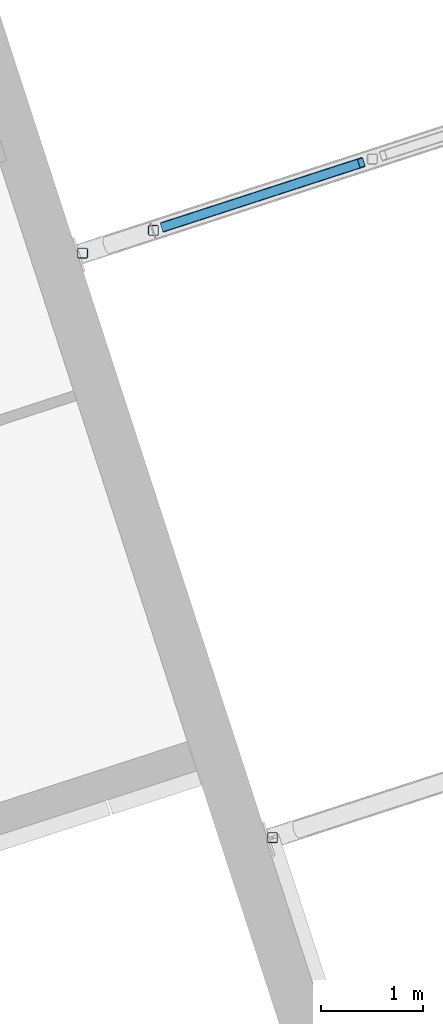
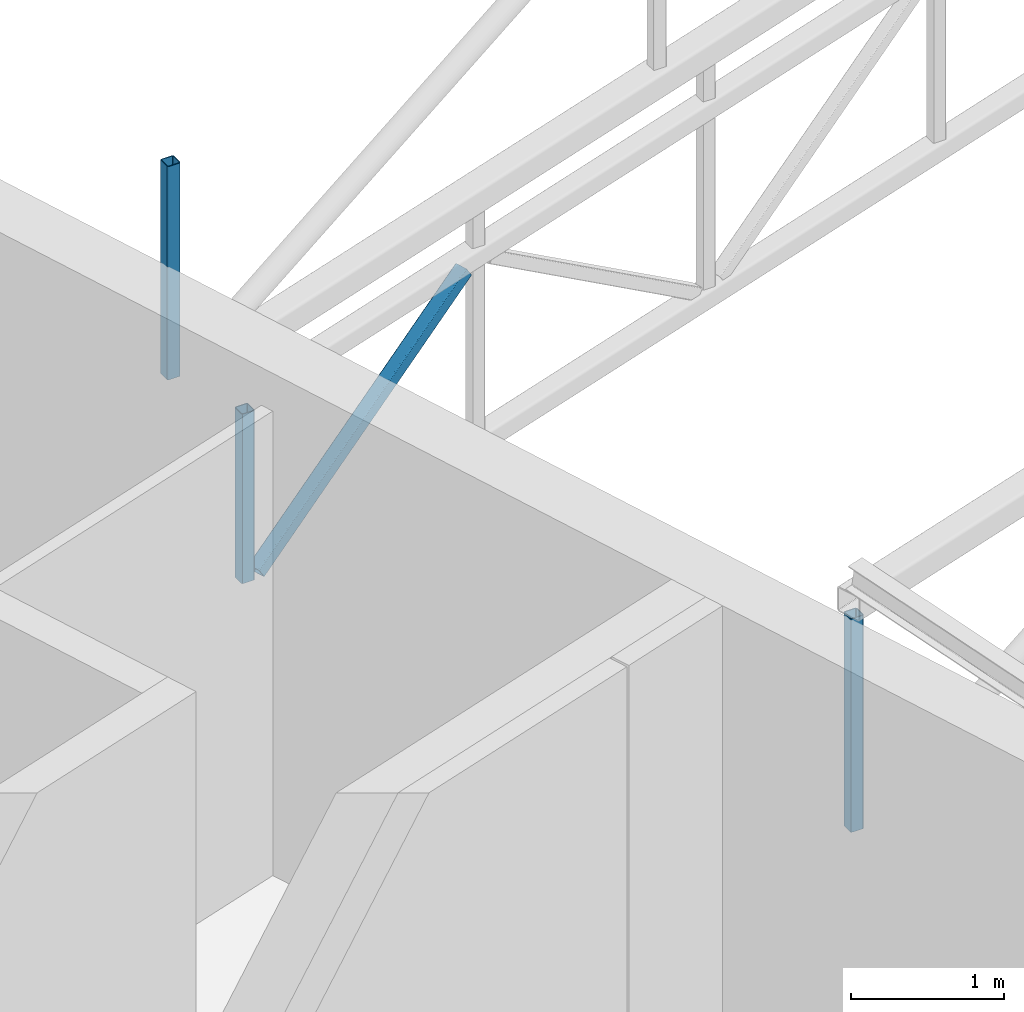
# One storey, part 5 of 81: 4 members.
"""IFC4 building model written with IfcOpenShell, lengths in metres."""

from ifc_helpers import new_model, si_unit, direction, frame, origin, origin_2d, place, context, subcontext, project, spatial, hollow_rectangle, extrude, material, material_profile, profile_set, type_object, element, save


model = new_model("IFC4")

# Units and contexts
model_context = context("Model", 3, precision=1e-05, world=origin(), true_north=direction((0.0, 1.0)))
body_context = subcontext(model_context, "Body", "Model", "MODEL_VIEW")
ifc_project = project(units=[si_unit("LENGTHUNIT", "METRE"), si_unit("AREAUNIT", "SQUARE_METRE"), si_unit("VOLUMEUNIT", "CUBIC_METRE"), si_unit("PLANEANGLEUNIT", "RADIAN"), si_unit("MASSUNIT", "GRAM", prefix="KILO")], contexts=[model_context])

# Site, building, storey
site_placement = place(None, origin())
site = spatial("IfcSite", under=ifc_project, at=site_placement, CompositionType="ELEMENT")
building_placement = place(site_placement, origin())
building = spatial("IfcBuilding", under=site, at=building_placement, Name="Tuart Plaza Theatre", CompositionType="ELEMENT")
storey_placement = place(building_placement, frame((0.0, 0.0, 17.5)))
storey = spatial("IfcBuildingStorey", under=building, at=storey_placement, Name="L04", CompositionType="ELEMENT", Elevation=17.5)

# Members
ifc_material_1 = material(Name="Steel Grade C350L0", Category="steel")
ifc_material_profile_1 = material_profile(ifc_material_1, hollow_rectangle(XDim=0.10009765625, YDim=0.10009765625, WallThickness=0.006103515625, InnerFilletRadius=0.006103515625, OuterFilletRadius=0.011962890625, at=origin_2d()), Name="100x100x6 SHS")
ifc_profile_set_1 = profile_set([ifc_material_profile_1], Name="Steel Grade C350L0")
member_type_1 = type_object("IfcMemberType", Name="MEMBER Brace 100x100x6 SHS", PredefinedType="BRACE", material=ifc_profile_set_1)
member_1_placement = place(storey_placement, frame((48.27685546875, 50.9033203125, 1.099365234375), z_axis=(0.791093381678, 0.256972345781, 0.555100418815), x_axis=(-0.308941443477, 0.951081060953, 0.0)))
element("IfcMember", 1, at=member_1_placement, inside=storey, type_object=member_type_1, Name="BR107", PredefinedType="BRACE", context=body_context, shape_type="SweptSolid", body=[
    extrude(hollow_rectangle(XDim=0.10009765625, YDim=0.10009765625, WallThickness=0.006103515625, InnerFilletRadius=0.006103515625, OuterFilletRadius=0.011962890625, at=origin_2d()), origin(), (0.0, 0.0, 1.0), 2.43212890625),
])
ifc_material_2 = material(Name="Steel Grade C350L0", Category="steel")
ifc_material_profile_2 = material_profile(ifc_material_2, hollow_rectangle(XDim=0.10009765625, YDim=0.10009765625, WallThickness=0.006103515625, InnerFilletRadius=0.006103515625, OuterFilletRadius=0.011962890625, at=origin_2d()), Name="100x100x6 SHS")
ifc_profile_set_2 = profile_set([ifc_material_profile_2], Name="Steel Grade C350L0")
member_type_2 = type_object("IfcMemberType", Name="MEMBER Post 100x100x6 SHS", PredefinedType="POST", material=ifc_profile_set_2)
member_2_placement = place(storey_placement, frame((49.33447265625, 44.938232421875, 2.307373046875), z_axis=(0.0, 0.0, 1.0), x_axis=(1.0, 0.0, 0.0)))
element("IfcMember", 2, at=member_2_placement, inside=storey, type_object=member_type_2, Name="PO1", PredefinedType="POST", context=body_context, shape_type="SweptSolid", body=[
    extrude(hollow_rectangle(XDim=0.10009765625, YDim=0.10009765625, WallThickness=0.006103515625, InnerFilletRadius=0.006103515625, OuterFilletRadius=0.011962890625, at=origin_2d()), origin(), (0.0, 0.0, 1.0), 1.699951171875),
])
member_3_placement = place(storey_placement, frame((47.48046875, 50.64453125, 3.099365234375), z_axis=(0.0, 0.0, 1.0), x_axis=(1.0, 0.0, 0.0)))
element("IfcMember", 3, at=member_3_placement, inside=storey, type_object=member_type_2, Name="PO8", PredefinedType="POST", context=body_context, shape_type="SweptSolid", body=[
    extrude(hollow_rectangle(XDim=0.10009765625, YDim=0.10009765625, WallThickness=0.006103515625, InnerFilletRadius=0.006103515625, OuterFilletRadius=0.011962890625, at=origin_2d()), origin(), (0.0, 0.0, 1.0), 1.7001953125),
])
member_4_placement = place(storey_placement, frame((48.169921875, 50.868408203125, 1.099365234375), z_axis=(0.0, 0.0, 1.0), x_axis=(1.0, 0.0, 0.0)))
element("IfcMember", 4, at=member_4_placement, inside=storey, type_object=member_type_2, Name="PO109", PredefinedType="POST", context=body_context, shape_type="SweptSolid", body=[
    extrude(hollow_rectangle(XDim=0.10009765625, YDim=0.10009765625, WallThickness=0.006103515625, InnerFilletRadius=0.006103515625, OuterFilletRadius=0.011962890625, at=origin_2d()), origin(), (0.0, 0.0, 1.0), 1.35009765625),
])

save(model, "model.ifc")
